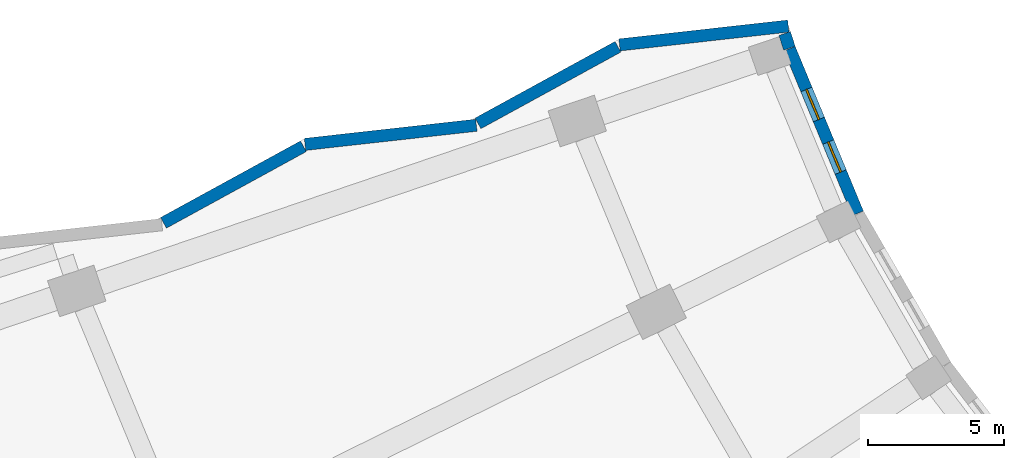
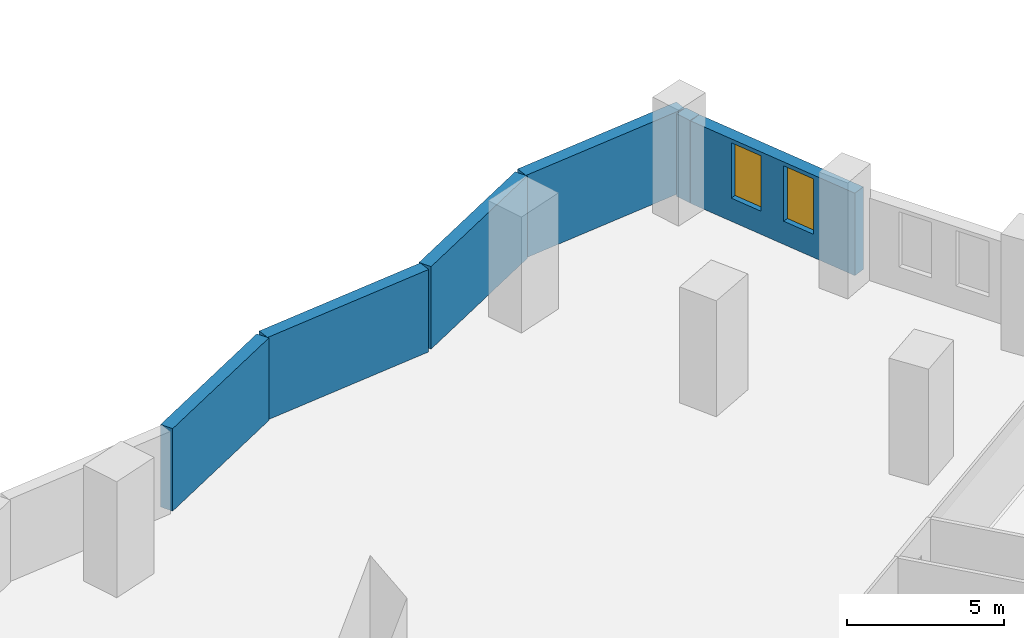
# One storey, part 13 of 19: 6 walls, 2 windows, 2 openings.
"""IFC4 building model written with IfcOpenShell, lengths in metres."""

from ifc_helpers import new_model, si_unit, direction, frame, frame_2d, origin, place, context, subcontext, project, spatial, rectangle, extrude, material, layer, layer_set, type_object, element, fill, save


model = new_model("IFC4")

# Units and contexts
model_context = context("Model", 3, precision=1e-05, world=origin(), true_north=direction((0.0, 1.0)))
body_context = subcontext(model_context, "Body", "Model", "MODEL_VIEW")
ifc_project = project(units=[si_unit("LENGTHUNIT", "METRE"), si_unit("AREAUNIT", "SQUARE_METRE"), si_unit("VOLUMEUNIT", "CUBIC_METRE"), si_unit("PLANEANGLEUNIT", "RADIAN"), si_unit("MASSUNIT", "GRAM", prefix="KILO")], contexts=[model_context])

# Site, building, storey
site_placement = place(None, origin())
site = spatial("IfcSite", under=ifc_project, at=site_placement, CompositionType="ELEMENT")
building_placement = place(site_placement, origin())
building = spatial("IfcBuilding", under=site, at=building_placement, Name="Qamariyya Broadcast Tower", CompositionType="ELEMENT")
storey_placement = place(building_placement, frame((0.0, 0.0, 36.0)))
storey = spatial("IfcBuildingStorey", under=building, at=storey_placement, Name="L05", CompositionType="ELEMENT", Elevation=36.0)

# Walls
ifc_material_1 = material(Name="Precast concrete C40/50 with terracotta facing", Category="masonry")
ifc_layer = layer(ifc_material_1, 0.449951171875)
ifc_layer_set = layer_set([ifc_layer], Name="Precast concrete C40/50 wall 450, terracotta faced")
wall_type = type_object("IfcWallType", Name="Precast concrete C40/50 wall 450, terracotta faced", PredefinedType="SOLIDWALL", material=ifc_layer_set)
wall_1_placement = place(storey_placement, frame((-47.37255859375, -15.220947265625, 0.0), z_axis=(0.0, 0.0, 1.0), x_axis=(-0.993827533543, -0.110936168908, 0.0)))
element("IfcWall", 1, at=wall_1_placement, inside=storey, type_object=wall_type, Name="e-wl-L05-capW0", PredefinedType="SOLIDWALL", context=body_context, shape_type="SweptSolid", body=[
    extrude(rectangle(XDim=6.265380859375, YDim=0.449951171875, at=frame_2d((3.1328125, 0.0))), origin(), (0.0, 0.0, 1.0), 3.199951171875),
])
wall_2_placement = place(storey_placement, frame((-53.65869140625, -15.9853515625, 0.0), z_axis=(0.0, 0.0, 1.0), x_axis=(-0.87728135657, -0.479976480064, 0.0)))
element("IfcWall", 2, at=wall_2_placement, inside=storey, type_object=wall_type, Name="e-wl-L05-capW1", PredefinedType="SOLIDWALL", context=body_context, shape_type="SweptSolid", body=[
    extrude(rectangle(XDim=5.885498046875, YDim=0.449951171875, at=frame_2d((2.94287109375, 0.0))), origin(), (0.0, 0.0, 1.0), 3.199951171875),
])
wall_3_placement = place(storey_placement, frame((-58.881103515625, -18.87939453125, 0.0), z_axis=(0.0, 0.0, 1.0), x_axis=(-0.993818963433, -0.111012917816, 0.0)))
element("IfcWall", 3, at=wall_3_placement, inside=storey, type_object=wall_type, Name="e-wl-L05-capW2", PredefinedType="SOLIDWALL", context=body_context, shape_type="SweptSolid", body=[
    extrude(rectangle(XDim=6.360107421875, YDim=0.449951171875, at=frame_2d((3.18017578125, 0.0))), origin(), (0.0, 0.0, 1.0), 3.199951171875),
])
wall_4_placement = place(storey_placement, frame((-65.26123046875, -19.654541015625, 0.0), z_axis=(0.0, 0.0, 1.0), x_axis=(-0.877230259454, -0.480069861477, 0.0)))
element("IfcWall", 4, at=wall_4_placement, inside=storey, type_object=wall_type, Name="e-wl-L05-capW3", PredefinedType="SOLIDWALL", context=body_context, shape_type="SweptSolid", body=[
    extrude(rectangle(XDim=5.883544921875, YDim=0.449951171875, at=frame_2d((2.94189453125, 0.0))), origin(), (0.0, 0.0, 1.0), 3.199951171875),
])
wall_5_placement = place(storey_placement, frame((-47.330810546875, -16.03955078125, 0.0), z_axis=(0.0, 0.0, 1.0), x_axis=(-0.311474670585, 0.950254455177, 0.0)))
element("IfcWall", 5, at=wall_5_placement, inside=storey, type_object=wall_type, Name="e-wl-L05-in00", PredefinedType="SOLIDWALL", context=body_context, shape_type="SweptSolid", body=[
    extrude(rectangle(XDim=0.570556640625, YDim=0.449951171875, at=frame_2d((0.28515625, 0.0))), origin(), (0.0, 0.0, 1.0), 3.199951171875),
])

# Wall, openings, windows
wall_6_placement = place(storey_placement, frame((-44.81005859375, -22.13134765625, 0.0), z_axis=(0.0, 0.0, 1.0), x_axis=(-0.382692796414, 0.92387565374, 0.0)))
wall_6 = element("IfcWall", 6, at=wall_6_placement, inside=storey, type_object=wall_type, Name="e-wl-L05-in10", PredefinedType="SOLIDWALL", context=body_context, shape_type="SweptSolid", body=[
    extrude(rectangle(XDim=6.575927734375, YDim=0.449951171875, at=frame_2d((3.2880859375, 0.0))), origin(), (0.0, 0.0, 1.0), 3.199951171875),
])
opening_1_placement = place(wall_6_placement, frame((3.74853515625, 0.0, 0.89990234375)))
opening_1 = element("IfcOpeningElement", 7, at=opening_1_placement, cuts=wall_6, Name="Opening W3", PredefinedType="OPENING", context=body_context, shape_type="SweptSolid", body=[
    extrude(rectangle(XDim=1.199951171875, YDim=2.14990234375, at=frame_2d((0.60009765625, 1.074951171875))), frame((0.0, 0.23486328125, 0.0), z_axis=(0.0, -1.0, 0.0), x_axis=(1.0, 0.0, 0.0)), (0.0, 0.0, 1.0), 0.469970703125),
])
opening_2_placement = place(wall_6_placement, frame((1.6484375, 0.0, 0.89990234375)))
opening_2 = element("IfcOpeningElement", 8, at=opening_2_placement, cuts=wall_6, Name="Opening W3", PredefinedType="OPENING", context=body_context, shape_type="SweptSolid", body=[
    extrude(rectangle(XDim=1.199951171875, YDim=2.14990234375, at=frame_2d((0.60009765625, 1.074951171875))), frame((0.0, 0.23486328125, 0.0), z_axis=(0.0, -1.0, 0.0), x_axis=(1.0, 0.0, 0.0)), (0.0, 0.0, 1.0), 0.469970703125),
])
ifc_material_2 = material(Name="Clear low-e double glazed unit in aluminium frame", Category="aluminium")
window_type = type_object("IfcWindowType", Name="Podium window 1200 x 2150", PartitioningType="SINGLE_PANEL", PredefinedType="WINDOW", material=ifc_material_2)
window_1_placement = place(opening_1_placement, origin())
window_1 = element("IfcWindow", 9, at=window_1_placement, inside=storey, type_object=window_type, Name="e-w-L05-in01a", OverallHeight=2.14990234375, OverallWidth=1.199951171875, PartitioningType="SINGLE_PANEL", PredefinedType="WINDOW", context=body_context, shape_type="SweptSolid", body=[
    extrude(rectangle(XDim=1.199951171875, YDim=2.14990234375, at=frame_2d((0.60009765625, 1.074951171875))), frame((0.0, 0.030029296875, 0.0), z_axis=(0.0, -1.0, 0.0), x_axis=(1.0, 0.0, 0.0)), (0.0, 0.0, 1.0), 0.06005859375),
])
fill(opening_1, window_1)
window_2_placement = place(opening_2_placement, origin())
window_2 = element("IfcWindow", 10, at=window_2_placement, inside=storey, type_object=window_type, Name="e-w-L05-in01b", OverallHeight=2.14990234375, OverallWidth=1.199951171875, PartitioningType="SINGLE_PANEL", PredefinedType="WINDOW", context=body_context, shape_type="SweptSolid", body=[
    extrude(rectangle(XDim=1.199951171875, YDim=2.14990234375, at=frame_2d((0.60009765625, 1.074951171875))), frame((0.0, 0.030029296875, 0.0), z_axis=(0.0, -1.0, 0.0), x_axis=(1.0, 0.0, 0.0)), (0.0, 0.0, 1.0), 0.06005859375),
])
fill(opening_2, window_2)

save(model, "model.ifc")
